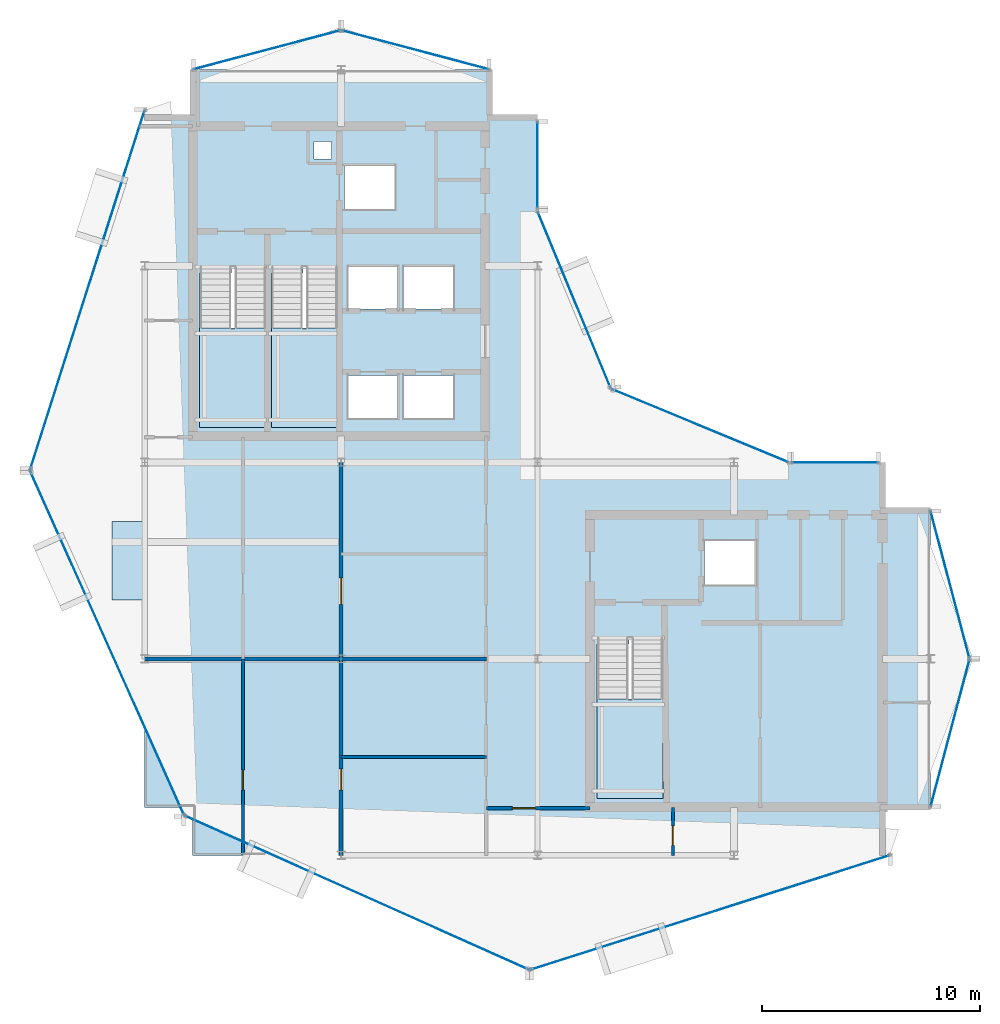
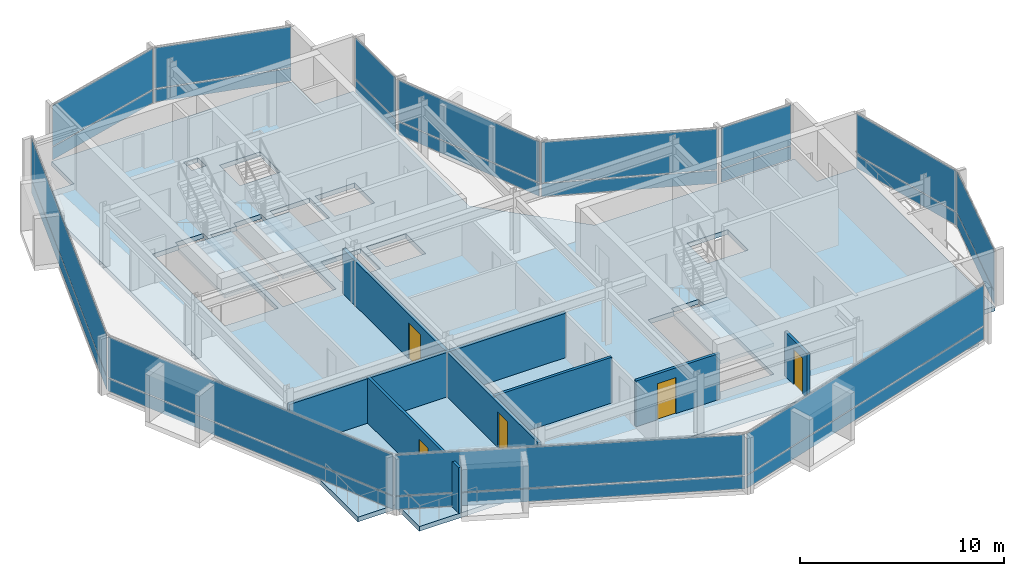
# One storey, part 13 of 19: 24 plates, 6 walls, 5 doors, 5 slabs, 5 openings, 15 elements without a shape of their own.
"""IFC4 building model written with IfcOpenShell, lengths in metres."""

from ifc_helpers import new_model, si_unit, direction, frame, frame_2d, origin, origin_2d, place, context, subcontext, project, spatial, polyline, rectangle, outline, extrude, material, layer, layer_set, type_object, element, fill, aggregate, save


model = new_model("IFC4")

# Units and contexts
model_context = context("Model", 3, precision=1e-05, world=origin(), true_north=direction((0.0, 1.0)))
body_context = subcontext(model_context, "Body", "Model", "MODEL_VIEW")
ifc_project = project(units=[si_unit("LENGTHUNIT", "METRE"), si_unit("AREAUNIT", "SQUARE_METRE"), si_unit("VOLUMEUNIT", "CUBIC_METRE"), si_unit("PLANEANGLEUNIT", "RADIAN"), si_unit("MASSUNIT", "GRAM", prefix="KILO")], contexts=[model_context])

# Site, building, storey
site_placement = place(None, origin())
site = spatial("IfcSite", under=ifc_project, at=site_placement, CompositionType="ELEMENT")
building_placement = place(site_placement, origin())
building = spatial("IfcBuilding", under=site, at=building_placement, Name="Solvaryn Broadcast Tower", CompositionType="ELEMENT")
storey_placement = place(building_placement, frame((0.0, 0.0, 293.699951171875)))
storey = spatial("IfcBuildingStorey", under=building, at=storey_placement, Name="L74", CompositionType="ELEMENT", Elevation=293.699951171875)

# Curtain wall, plates
ifc_material_1 = material(Name="Aluminium and Terracotta Unitised Curtain Wall", Category="masonry")
ifc_layer_1 = layer(ifc_material_1, 0.199951171875)
ifc_layer_set_1 = layer_set([ifc_layer_1], Name="CW-SYS2-LOWMID")
curtain_wall_type = type_object("IfcCurtainWallType", Name="CW-SYS2-LOWMID", PredefinedType="NOTDEFINED", material=ifc_layer_set_1)
curtain_wall_1_placement = place(storey_placement, origin())
curtain_wall_1 = element("IfcCurtainWall", 1, at=curtain_wall_1_placement, inside=storey, type_object=curtain_wall_type, Name="L74 Curtain Wall DR1", PredefinedType="NOTDEFINED")
ifc_material_2 = material(Name="Kiln-Fired Architectural Terracotta Spandrel", Category="masonry")
ifc_layer_2 = layer(ifc_material_2, 0.048095703125)
ifc_layer_set_2 = layer_set([ifc_layer_2], Name="CW-PNL-TERRACOTTA")
plate_type = type_object("IfcPlateType", Name="CW-PNL-TERRACOTTA", PredefinedType="CURTAIN_PANEL", material=ifc_layer_set_2)
plate_1_placement = place(storey_placement, frame((6.368896484375, 34.892578125, 0.06005859375), z_axis=(0.0, 0.0, 1.0), x_axis=(-0.30361564569, -0.952794594701, 0.0)))
plate_1 = element("IfcPlate", 2, at=plate_1_placement, type_object=plate_type, Name="CWS2 panel 1.1", PredefinedType="CURTAIN_PANEL", context=body_context, shape_type="SweptSolid", body=[
    extrude(rectangle(XDim=17.211181640625, YDim=0.028076171875, at=origin_2d()), origin(), (0.0, 0.0, 1.0), 0.760009765625),
])
plate_2_placement = place(storey_placement, frame((6.368896484375, 34.892578125, 0.8798828125), z_axis=(0.0, 0.0, 1.0), x_axis=(-0.30361564569, -0.952794594701, 0.0)))
plate_2 = element("IfcPlate", 3, at=plate_2_placement, type_object=plate_type, Name="CWS2 panel 1.2", PredefinedType="CURTAIN_PANEL", context=body_context, shape_type="SweptSolid", body=[
    extrude(rectangle(XDim=17.211181640625, YDim=0.028076171875, at=origin_2d()), origin(), (0.0, 0.0, 1.0), 2.429931640625),
])
aggregate(curtain_wall_1, [plate_1, plate_2])

curtain_wall_2_placement = place(storey_placement, origin())
curtain_wall_2 = element("IfcCurtainWall", 4, at=curtain_wall_2_placement, inside=storey, type_object=curtain_wall_type, Name="L74 Curtain Wall DR2", PredefinedType="NOTDEFINED")
plate_3_placement = place(storey_placement, frame((7.277587890625, 18.7265625, 0.06005859375), z_axis=(0.0, 0.0, 1.0), x_axis=(0.408466010682, -0.912773530574, 0.0)))
plate_3 = element("IfcPlate", 5, at=plate_3_placement, type_object=plate_type, Name="CWS2 panel 1.1", PredefinedType="CURTAIN_PANEL", context=body_context, shape_type="SweptSolid", body=[
    extrude(rectangle(XDim=17.210693359375, YDim=0.028076171875, at=origin_2d()), origin(), (0.0, 0.0, 1.0), 0.760009765625),
])
plate_4_placement = place(storey_placement, frame((7.277587890625, 18.7265625, 0.8798828125), z_axis=(0.0, 0.0, 1.0), x_axis=(0.408466010682, -0.912773530574, 0.0)))
plate_4 = element("IfcPlate", 6, at=plate_4_placement, type_object=plate_type, Name="CWS2 panel 1.2", PredefinedType="CURTAIN_PANEL", context=body_context, shape_type="SweptSolid", body=[
    extrude(rectangle(XDim=17.210693359375, YDim=0.028076171875, at=origin_2d()), origin(), (0.0, 0.0, 1.0), 2.429931640625),
])
aggregate(curtain_wall_2, [plate_3, plate_4])

curtain_wall_3_placement = place(storey_placement, origin())
curtain_wall_3 = element("IfcCurtainWall", 7, at=curtain_wall_3_placement, inside=storey, type_object=curtain_wall_type, Name="L74 Curtain Wall DR3", PredefinedType="NOTDEFINED")
plate_5_placement = place(storey_placement, frame((18.7265625, 7.277587890625, 0.06005859375), z_axis=(0.0, 0.0, 1.0), x_axis=(0.912773530574, -0.408466010682, 0.0)))
plate_5 = element("IfcPlate", 8, at=plate_5_placement, type_object=plate_type, Name="CWS2 panel 1.1", PredefinedType="CURTAIN_PANEL", context=body_context, shape_type="SweptSolid", body=[
    extrude(rectangle(XDim=17.210693359375, YDim=0.028076171875, at=origin_2d()), origin(), (0.0, 0.0, 1.0), 0.760009765625),
])
plate_6_placement = place(storey_placement, frame((18.7265625, 7.277587890625, 0.8798828125), z_axis=(0.0, 0.0, 1.0), x_axis=(0.912773530574, -0.408466010682, 0.0)))
plate_6 = element("IfcPlate", 9, at=plate_6_placement, type_object=plate_type, Name="CWS2 panel 1.2", PredefinedType="CURTAIN_PANEL", context=body_context, shape_type="SweptSolid", body=[
    extrude(rectangle(XDim=17.210693359375, YDim=0.028076171875, at=origin_2d()), origin(), (0.0, 0.0, 1.0), 2.429931640625),
])
aggregate(curtain_wall_3, [plate_5, plate_6])

curtain_wall_4_placement = place(storey_placement, origin())
curtain_wall_4 = element("IfcCurtainWall", 10, at=curtain_wall_4_placement, inside=storey, type_object=curtain_wall_type, Name="L74 Curtain Wall DR4", PredefinedType="NOTDEFINED")
plate_7_placement = place(storey_placement, frame((34.892578125, 6.368896484375, 0.06005859375), z_axis=(0.0, 0.0, 1.0), x_axis=(0.952794594701, 0.30361564569, 0.0)))
plate_7 = element("IfcPlate", 11, at=plate_7_placement, type_object=plate_type, Name="CWS2 panel 1.1", PredefinedType="CURTAIN_PANEL", context=body_context, shape_type="SweptSolid", body=[
    extrude(rectangle(XDim=17.211181640625, YDim=0.028076171875, at=origin_2d()), origin(), (0.0, 0.0, 1.0), 0.760009765625),
])
plate_8_placement = place(storey_placement, frame((34.892578125, 6.368896484375, 0.8798828125), z_axis=(0.0, 0.0, 1.0), x_axis=(0.952794594701, 0.30361564569, 0.0)))
plate_8 = element("IfcPlate", 12, at=plate_8_placement, type_object=plate_type, Name="CWS2 panel 1.2", PredefinedType="CURTAIN_PANEL", context=body_context, shape_type="SweptSolid", body=[
    extrude(rectangle(XDim=17.211181640625, YDim=0.028076171875, at=origin_2d()), origin(), (0.0, 0.0, 1.0), 2.429931640625),
])
aggregate(curtain_wall_4, [plate_7, plate_8])

curtain_wall_5_placement = place(storey_placement, origin())
curtain_wall_5 = element("IfcCurtainWall", 13, at=curtain_wall_5_placement, inside=storey, type_object=curtain_wall_type, Name="L74 Curtain Wall IV", PredefinedType="NOTDEFINED")
plate_9_placement = place(storey_placement, frame((27.0, 40.625, 0.06005859375), z_axis=(0.0, 0.0, 1.0), x_axis=(0.0, -1.0, 0.0)))
plate_9 = element("IfcPlate", 14, at=plate_9_placement, type_object=plate_type, Name="CWS2 panel 1.1", PredefinedType="CURTAIN_PANEL", context=body_context, shape_type="SweptSolid", body=[
    extrude(rectangle(XDim=3.929931640625, YDim=0.028076171875, at=origin_2d()), origin(), (0.0, 0.0, 1.0), 0.760009765625),
])
plate_10_placement = place(storey_placement, frame((27.0, 40.625, 0.8798828125), z_axis=(0.0, 0.0, 1.0), x_axis=(0.0, -1.0, 0.0)))
plate_10 = element("IfcPlate", 15, at=plate_10_placement, type_object=plate_type, Name="CWS2 panel 1.2", PredefinedType="CURTAIN_PANEL", context=body_context, shape_type="SweptSolid", body=[
    extrude(rectangle(XDim=3.929931640625, YDim=0.028076171875, at=origin_2d()), origin(), (0.0, 0.0, 1.0), 2.429931640625),
])
aggregate(curtain_wall_5, [plate_9, plate_10])

curtain_wall_6_placement = place(storey_placement, origin())
curtain_wall_6 = element("IfcCurtainWall", 16, at=curtain_wall_6_placement, inside=storey, type_object=curtain_wall_type, Name="L74 Curtain Wall CN1", PredefinedType="NOTDEFINED")
plate_11_placement = place(storey_placement, frame((34.43408203125, 28.68408203125, 0.06005859375), z_axis=(0.0, 0.0, 1.0), x_axis=(-0.923894983957, 0.382646127145, 0.0)))
plate_11 = element("IfcPlate", 17, at=plate_11_placement, type_object=plate_type, Name="CWS2 panel 1.1", PredefinedType="CURTAIN_PANEL", context=body_context, shape_type="SweptSolid", body=[
    extrude(rectangle(XDim=8.681884765625, YDim=0.028076171875, at=origin_2d()), origin(), (0.0, 0.0, 1.0), 0.760009765625),
])
plate_12_placement = place(storey_placement, frame((34.43408203125, 28.68408203125, 0.8798828125), z_axis=(0.0, 0.0, 1.0), x_axis=(-0.923894983957, 0.382646127145, 0.0)))
plate_12 = element("IfcPlate", 18, at=plate_12_placement, type_object=plate_type, Name="CWS2 panel 1.2", PredefinedType="CURTAIN_PANEL", context=body_context, shape_type="SweptSolid", body=[
    extrude(rectangle(XDim=8.681884765625, YDim=0.028076171875, at=origin_2d()), origin(), (0.0, 0.0, 1.0), 2.429931640625),
])
aggregate(curtain_wall_6, [plate_11, plate_12])

curtain_wall_7_placement = place(storey_placement, origin())
curtain_wall_7 = element("IfcCurtainWall", 19, at=curtain_wall_7_placement, inside=storey, type_object=curtain_wall_type, Name="L74 Curtain Wall CN2", PredefinedType="NOTDEFINED")
plate_13_placement = place(storey_placement, frame((28.68408203125, 34.43408203125, 0.06005859375), z_axis=(0.0, 0.0, 1.0), x_axis=(-0.382646127145, 0.923894983957, 0.0)))
plate_13 = element("IfcPlate", 20, at=plate_13_placement, type_object=plate_type, Name="CWS2 panel 1.1", PredefinedType="CURTAIN_PANEL", context=body_context, shape_type="SweptSolid", body=[
    extrude(rectangle(XDim=8.681884765625, YDim=0.028076171875, at=origin_2d()), origin(), (0.0, 0.0, 1.0), 0.760009765625),
])
plate_14_placement = place(storey_placement, frame((28.68408203125, 34.43408203125, 0.8798828125), z_axis=(0.0, 0.0, 1.0), x_axis=(-0.382646127145, 0.923894983957, 0.0)))
plate_14 = element("IfcPlate", 21, at=plate_14_placement, type_object=plate_type, Name="CWS2 panel 1.2", PredefinedType="CURTAIN_PANEL", context=body_context, shape_type="SweptSolid", body=[
    extrude(rectangle(XDim=8.681884765625, YDim=0.028076171875, at=origin_2d()), origin(), (0.0, 0.0, 1.0), 2.429931640625),
])
aggregate(curtain_wall_7, [plate_13, plate_14])

curtain_wall_8_placement = place(storey_placement, origin())
curtain_wall_8 = element("IfcCurtainWall", 22, at=curtain_wall_8_placement, inside=storey, type_object=curtain_wall_type, Name="L74 Curtain Wall NT1", PredefinedType="NOTDEFINED")
plate_15_placement = place(storey_placement, frame((21.39990234375, 45.89990234375, 0.06005859375), z_axis=(0.0, 0.0, 1.0), x_axis=(-0.966705227863, 0.25589256031, 0.0)))
plate_15 = element("IfcPlate", 23, at=plate_15_placement, type_object=plate_type, Name="CWS2 panel 1.1", PredefinedType="CURTAIN_PANEL", context=body_context, shape_type="SweptSolid", body=[
    extrude(rectangle(XDim=6.914306640625, YDim=0.028076171875, at=origin_2d()), origin(), (0.0, 0.0, 1.0), 0.760009765625),
])
plate_16_placement = place(storey_placement, frame((21.39990234375, 45.89990234375, 0.8798828125), z_axis=(0.0, 0.0, 1.0), x_axis=(-0.966705227863, 0.25589256031, 0.0)))
plate_16 = element("IfcPlate", 24, at=plate_16_placement, type_object=plate_type, Name="CWS2 panel 1.2", PredefinedType="CURTAIN_PANEL", context=body_context, shape_type="SweptSolid", body=[
    extrude(rectangle(XDim=6.914306640625, YDim=0.028076171875, at=origin_2d()), origin(), (0.0, 0.0, 1.0), 2.429931640625),
])
aggregate(curtain_wall_8, [plate_15, plate_16])

curtain_wall_9_placement = place(storey_placement, origin())
curtain_wall_9 = element("IfcCurtainWall", 25, at=curtain_wall_9_placement, inside=storey, type_object=curtain_wall_type, Name="L74 Curtain Wall NT2", PredefinedType="NOTDEFINED")
plate_17_placement = place(storey_placement, frame((14.60009765625, 45.89990234375, 0.06005859375), z_axis=(0.0, 0.0, 1.0), x_axis=(-0.966705227863, -0.25589256031, 0.0)))
plate_17 = element("IfcPlate", 26, at=plate_17_placement, type_object=plate_type, Name="CWS2 panel 1.1", PredefinedType="CURTAIN_PANEL", context=body_context, shape_type="SweptSolid", body=[
    extrude(rectangle(XDim=6.914306640625, YDim=0.028076171875, at=origin_2d()), origin(), (0.0, 0.0, 1.0), 0.760009765625),
])
plate_18_placement = place(storey_placement, frame((14.60009765625, 45.89990234375, 0.8798828125), z_axis=(0.0, 0.0, 1.0), x_axis=(-0.966705227863, -0.25589256031, 0.0)))
plate_18 = element("IfcPlate", 27, at=plate_18_placement, type_object=plate_type, Name="CWS2 panel 1.2", PredefinedType="CURTAIN_PANEL", context=body_context, shape_type="SweptSolid", body=[
    extrude(rectangle(XDim=6.914306640625, YDim=0.028076171875, at=origin_2d()), origin(), (0.0, 0.0, 1.0), 2.429931640625),
])
aggregate(curtain_wall_9, [plate_17, plate_18])

curtain_wall_10_placement = place(storey_placement, origin())
curtain_wall_10 = element("IfcCurtainWall", 28, at=curtain_wall_10_placement, inside=storey, type_object=curtain_wall_type, Name="L74 Curtain Wall ET1", PredefinedType="NOTDEFINED")
plate_19_placement = place(storey_placement, frame((45.89990234375, 21.39990234375, 0.06005859375), z_axis=(0.0, 0.0, 1.0), x_axis=(0.25589256031, -0.966705227863, 0.0)))
plate_19 = element("IfcPlate", 29, at=plate_19_placement, type_object=plate_type, Name="CWS2 panel 1.1", PredefinedType="CURTAIN_PANEL", context=body_context, shape_type="SweptSolid", body=[
    extrude(rectangle(XDim=6.914306640625, YDim=0.028076171875, at=origin_2d()), origin(), (0.0, 0.0, 1.0), 0.760009765625),
])
plate_20_placement = place(storey_placement, frame((45.89990234375, 21.39990234375, 0.8798828125), z_axis=(0.0, 0.0, 1.0), x_axis=(0.25589256031, -0.966705227863, 0.0)))
plate_20 = element("IfcPlate", 30, at=plate_20_placement, type_object=plate_type, Name="CWS2 panel 1.2", PredefinedType="CURTAIN_PANEL", context=body_context, shape_type="SweptSolid", body=[
    extrude(rectangle(XDim=6.914306640625, YDim=0.028076171875, at=origin_2d()), origin(), (0.0, 0.0, 1.0), 2.429931640625),
])
aggregate(curtain_wall_10, [plate_19, plate_20])

curtain_wall_11_placement = place(storey_placement, origin())
curtain_wall_11 = element("IfcCurtainWall", 31, at=curtain_wall_11_placement, inside=storey, type_object=curtain_wall_type, Name="L74 Curtain Wall ET2", PredefinedType="NOTDEFINED")
plate_21_placement = place(storey_placement, frame((45.89990234375, 14.60009765625, 0.06005859375), z_axis=(0.0, 0.0, 1.0), x_axis=(-0.25589256031, -0.966705227863, 0.0)))
plate_21 = element("IfcPlate", 32, at=plate_21_placement, type_object=plate_type, Name="CWS2 panel 1.1", PredefinedType="CURTAIN_PANEL", context=body_context, shape_type="SweptSolid", body=[
    extrude(rectangle(XDim=6.914306640625, YDim=0.028076171875, at=origin_2d()), origin(), (0.0, 0.0, 1.0), 0.760009765625),
])
plate_22_placement = place(storey_placement, frame((45.89990234375, 14.60009765625, 0.8798828125), z_axis=(0.0, 0.0, 1.0), x_axis=(-0.25589256031, -0.966705227863, 0.0)))
plate_22 = element("IfcPlate", 33, at=plate_22_placement, type_object=plate_type, Name="CWS2 panel 1.2", PredefinedType="CURTAIN_PANEL", context=body_context, shape_type="SweptSolid", body=[
    extrude(rectangle(XDim=6.914306640625, YDim=0.028076171875, at=origin_2d()), origin(), (0.0, 0.0, 1.0), 2.429931640625),
])
aggregate(curtain_wall_11, [plate_21, plate_22])

curtain_wall_12_placement = place(storey_placement, origin())
curtain_wall_12 = element("IfcCurtainWall", 34, at=curtain_wall_12_placement, inside=storey, type_object=curtain_wall_type, Name="L74 Curtain Wall IH", PredefinedType="NOTDEFINED")
plate_23_placement = place(storey_placement, frame((40.625, 27.0, 0.06005859375), z_axis=(0.0, 0.0, 1.0), x_axis=(1.0, 0.0, 0.0)))
plate_23 = element("IfcPlate", 35, at=plate_23_placement, type_object=plate_type, Name="CWS2 panel 1.1", PredefinedType="CURTAIN_PANEL", context=body_context, shape_type="SweptSolid", body=[
    extrude(rectangle(XDim=3.929931640625, YDim=0.028076171875, at=origin_2d()), origin(), (0.0, 0.0, 1.0), 0.760009765625),
])
plate_24_placement = place(storey_placement, frame((40.625, 27.0, 0.8798828125), z_axis=(0.0, 0.0, 1.0), x_axis=(1.0, 0.0, 0.0)))
plate_24 = element("IfcPlate", 36, at=plate_24_placement, type_object=plate_type, Name="CWS2 panel 1.2", PredefinedType="CURTAIN_PANEL", context=body_context, shape_type="SweptSolid", body=[
    extrude(rectangle(XDim=3.929931640625, YDim=0.028076171875, at=origin_2d()), origin(), (0.0, 0.0, 1.0), 2.429931640625),
])
aggregate(curtain_wall_12, [plate_23, plate_24])

# Slab
ifc_material_3 = material(Name="Concrete f'c 60 MPa", Category="concrete")
ifc_layer_3 = layer(ifc_material_3, 0.2099609375)
ifc_layer_set_3 = layer_set([ifc_layer_3], Name="SL-BAYBOX-210")
slab_type_1 = type_object("IfcSlabType", Name="SL-BAYBOX-210", PredefinedType="FLOOR", material=ifc_layer_set_3)
slab_1_placement = place(storey_placement, frame((0.0, 0.0, -0.2099609375)))
element("IfcSlab", 37, at=slab_1_placement, inside=storey, type_object=slab_type_1, Name="L74 Projecting Bay-Box Slab 1", PredefinedType="FLOOR", context=body_context, shape_type="SweptSolid", body=[
    extrude(outline(polyline([(7.5, 20.699951171875), (9.0, 20.699951171875), (9.0, 24.300048828125), (7.5, 24.300048828125), (7.5, 20.699951171875)])), origin(), (0.0, 0.0, 1.0), 0.2099609375),
])

# Stair, slab
ifc_material_4 = material(Name="Concrete f'c 60 MPa", Category="concrete")
stair_type = type_object("IfcStairType", Name="ST-CORE", PredefinedType="HALF_TURN_STAIR", material=ifc_material_4)
stair_1_placement = place(storey_placement, origin())
stair_1 = element("IfcStair", 38, at=stair_1_placement, inside=storey, type_object=stair_type, Name="L74 ST1", PredefinedType="HALF_TURN_STAIR")
ifc_material_5 = material(Name="Concrete f'c 60 MPa", Category="concrete")
ifc_layer_4 = layer(ifc_material_5, 0.199951171875)
ifc_layer_set_4 = layer_set([ifc_layer_4], Name="SL-LANDING-200")
slab_type_2 = type_object("IfcSlabType", Name="SL-LANDING-200", PredefinedType="LANDING", material=ifc_layer_set_4)
slab_2_placement = place(storey_placement, frame((0.0, 0.0, 1.650146484375)))
slab_2 = element("IfcSlab", 39, at=slab_2_placement, type_object=slab_type_2, Name="ST1 landing 1", PredefinedType="LANDING", context=body_context, shape_type="SweptSolid", body=[
    extrude(outline(polyline([(11.52001953125, 33.159912109375), (11.52001953125, 28.60009765625), (14.550048828125, 28.60009765625), (14.550048828125, 33.159912109375), (11.52001953125, 33.159912109375)])), origin(), (0.0, 0.0, 1.0), 0.199951171875),
])
aggregate(stair_1, [slab_2])

stair_2_placement = place(storey_placement, origin())
stair_2 = element("IfcStair", 40, at=stair_2_placement, inside=storey, type_object=stair_type, Name="L74 ST2", PredefinedType="HALF_TURN_STAIR")
slab_3_placement = place(storey_placement, frame((0.0, 0.0, 1.650146484375)))
slab_3 = element("IfcSlab", 41, at=slab_3_placement, type_object=slab_type_2, Name="ST2 landing 1", PredefinedType="LANDING", context=body_context, shape_type="SweptSolid", body=[
    extrude(outline(polyline([(14.800048828125, 33.159912109375), (14.800048828125, 28.60009765625), (17.830078125, 28.60009765625), (17.830078125, 33.159912109375), (14.800048828125, 33.159912109375)])), origin(), (0.0, 0.0, 1.0), 0.199951171875),
])
aggregate(stair_2, [slab_3])

stair_3_placement = place(storey_placement, origin())
stair_3 = element("IfcStair", 42, at=stair_3_placement, inside=storey, type_object=stair_type, Name="L74 ST3", PredefinedType="HALF_TURN_STAIR")
slab_4_placement = place(storey_placement, frame((0.0, 0.0, 1.650146484375)))
slab_4 = element("IfcSlab", 43, at=slab_4_placement, type_object=slab_type_2, Name="ST3 landing 1", PredefinedType="LANDING", context=body_context, shape_type="SweptSolid", body=[
    extrude(outline(polyline([(29.719970703125, 16.159912109375), (29.719970703125, 11.60009765625), (32.75, 11.60009765625), (32.75, 16.159912109375), (29.719970703125, 16.159912109375)])), origin(), (0.0, 0.0, 1.0), 0.199951171875),
])
aggregate(stair_3, [slab_4])

# Slab
ifc_material_6 = material(Name="Concrete f'c 60 MPa", Category="concrete")
ifc_layer_5 = layer(ifc_material_6, 0.280029296875)
ifc_layer_set_5 = layer_set([ifc_layer_5], Name="SL-TWR-280")
slab_type_3 = type_object("IfcSlabType", Name="SL-TWR-280", PredefinedType="FLOOR", material=ifc_layer_set_5)
slab_5_placement = place(storey_placement, frame((0.0, 0.0, -0.280029296875)))
element("IfcSlab", 44, at=slab_5_placement, inside=storey, type_object=slab_type_3, Name="L74 Structural Floor Slab", PredefinedType="FLOOR", context=body_context, shape_type="SweptSolid", body=[
    extrude(outline(polyline([(11.199951171875, 9.0), (42.800048828125, 9.0), (42.800048828125, 11.199951171875), (45.0, 11.199951171875), (45.0, 24.800048828125), (42.800048828125, 24.800048828125), (42.800048828125, 27.0), (31.5, 27.0), (27.0, 31.5), (27.0, 42.800048828125), (24.800048828125, 42.800048828125), (24.800048828125, 45.0), (11.199951171875, 45.0), (11.199951171875, 42.800048828125), (9.0, 42.800048828125), (9.0, 11.199951171875), (11.199951171875, 11.199951171875), (11.199951171875, 9.0)]), holes=[polyline([(11.52001953125, 28.60009765625), (14.550048828125, 28.60009765625), (14.550048828125, 35.9599609375), (12.97998046875, 35.9599609375), (12.97998046875, 35.679931640625), (11.52001953125, 35.679931640625), (11.52001953125, 28.60009765625)]), polyline([(14.800048828125, 28.60009765625), (17.830078125, 28.60009765625), (17.830078125, 35.9599609375), (16.260009765625, 35.9599609375), (16.260009765625, 35.679931640625), (14.800048828125, 35.679931640625), (14.800048828125, 28.60009765625)]), polyline([(29.719970703125, 11.60009765625), (32.75, 11.60009765625), (32.75, 18.9599609375), (31.179931640625, 18.9599609375), (31.179931640625, 18.679931640625), (29.719970703125, 18.679931640625), (29.719970703125, 11.60009765625)]), polyline([(18.14990234375, 38.60009765625), (20.449951171875, 38.60009765625), (20.449951171875, 40.60009765625), (18.14990234375, 40.60009765625), (18.14990234375, 38.60009765625)]), polyline([(18.324951171875, 29.02490234375), (20.574951171875, 29.02490234375), (20.574951171875, 30.97509765625), (18.324951171875, 30.97509765625), (18.324951171875, 29.02490234375)]), polyline([(20.875, 29.02490234375), (23.125, 29.02490234375), (23.125, 30.97509765625), (20.875, 30.97509765625), (20.875, 29.02490234375)]), polyline([(18.324951171875, 34.02490234375), (20.574951171875, 34.02490234375), (20.574951171875, 35.97509765625), (18.324951171875, 35.97509765625), (18.324951171875, 34.02490234375)]), polyline([(20.875, 34.02490234375), (23.125, 34.02490234375), (23.125, 35.97509765625), (20.875, 35.97509765625), (20.875, 34.02490234375)]), polyline([(34.64990234375, 21.39990234375), (36.949951171875, 21.39990234375), (36.949951171875, 23.39990234375), (34.64990234375, 23.39990234375), (34.64990234375, 21.39990234375)]), polyline([(16.75, 40.89990234375), (17.550048828125, 40.89990234375), (17.550048828125, 41.699951171875), (16.75, 41.699951171875), (16.75, 40.89990234375)])]), origin(), (0.0, 0.0, 1.0), 0.280029296875),
])

# Wall, opening, door
ifc_material_7 = material(Name="Metal-Stud Service Core Partition")
ifc_layer_6 = layer(ifc_material_7, 0.14990234375)
ifc_layer_set_6 = layer_set([ifc_layer_6], Name="IW-PART-150")
wall_type_1 = type_object("IfcWallType", Name="IW-PART-150", PredefinedType="PARTITIONING", material=ifc_layer_set_6)
wall_1_placement = place(storey_placement, frame((13.5, 9.0, 0.0), z_axis=(0.0, 0.0, 1.0), x_axis=(0.0, 1.0, 0.0)))
wall_1 = element("IfcWall", 45, at=wall_1_placement, inside=storey, type_object=wall_type_1, Name="L74 Interior Partition IW-L74-SW-C2", PredefinedType="PARTITIONING", context=body_context, shape_type="SweptSolid", body=[
    extrude(rectangle(XDim=9.0, YDim=0.14990234375, at=frame_2d((4.5, 0.0))), origin(), (0.0, 0.0, 1.0), 2.739013671875),
])
opening_1_placement = place(wall_1_placement, frame((3.0, 0.0, 0.0)))
opening_1 = element("IfcOpeningElement", 46, at=opening_1_placement, cuts=wall_1, Name="Opening FD60C", PredefinedType="OPENING", context=body_context, shape_type="SweptSolid", body=[
    extrude(rectangle(XDim=0.89990234375, YDim=2.10009765625, at=frame_2d((0.449951171875, 1.050048828125))), frame((0.0, 0.0849609375, 0.0), z_axis=(0.0, -1.0, 0.0), x_axis=(1.0, 0.0, 0.0)), (0.0, 0.0, 1.0), 0.169921875),
])
ifc_material_8 = material(Name="Flush Acoustic Steel and Timber Door Assembly", Category="steel")
door_type_1 = type_object("IfcDoorType", Name="FD60-SERV-900X2100", OperationType="NOTDEFINED", PredefinedType="DOOR", material=ifc_material_8)
door_1_placement = place(opening_1_placement, origin())
door_1 = element("IfcDoor", 47, at=door_1_placement, inside=storey, type_object=door_type_1, Name="L74 Door DR-L74-SWQ-8", OperationType="SINGLE_SWING_LEFT", OverallHeight=2.10009765625, OverallWidth=0.89990234375, PredefinedType="DOOR", context=body_context, shape_type="SweptSolid", body=[
    extrude(rectangle(XDim=0.89990234375, YDim=2.10009765625, at=frame_2d((0.449951171875, 1.050048828125))), frame((0.0, 0.02490234375, 0.0), z_axis=(0.0, -1.0, 0.0), x_axis=(1.0, 0.0, 0.0)), (0.0, 0.0, 1.0), 0.050048828125),
])
fill(opening_1, door_1)

# Wall
wall_2_placement = place(storey_placement, frame((18.0, 13.5, 0.0), z_axis=(0.0, 0.0, 1.0), x_axis=(1.0, 0.0, 0.0)))
element("IfcWall", 48, at=wall_2_placement, inside=storey, type_object=wall_type_1, Name="L74 Interior Partition IW-L74-SW-C4", PredefinedType="PARTITIONING", context=body_context, shape_type="SweptSolid", body=[
    extrude(rectangle(XDim=6.64990234375, YDim=0.14990234375, at=frame_2d((3.324951171875, 0.0))), origin(), (0.0, 0.0, 1.0), 2.741943359375),
])

# Wall, opening, door
wall_3_placement = place(storey_placement, frame((33.199951171875, 9.0, 0.0), z_axis=(0.0, 0.0, 1.0), x_axis=(0.0, 1.0, 0.0)))
wall_3 = element("IfcWall", 49, at=wall_3_placement, inside=storey, type_object=wall_type_1, Name="L74 Interior Partition IW-L74-SC-V", PredefinedType="PARTITIONING", context=body_context, shape_type="SweptSolid", body=[
    extrude(rectangle(XDim=2.199951171875, YDim=0.14990234375, at=frame_2d((1.10009765625, 0.0))), origin(), (0.0, 0.0, 1.0), 2.656982421875),
])
opening_2_placement = place(wall_3_placement, frame((0.449951171875, 0.0, 0.0)))
opening_2 = element("IfcOpeningElement", 50, at=opening_2_placement, cuts=wall_3, Name="Opening FD60C", PredefinedType="OPENING", context=body_context, shape_type="SweptSolid", body=[
    extrude(rectangle(XDim=0.89990234375, YDim=2.10009765625, at=frame_2d((0.449951171875, 1.050048828125))), frame((0.0, 0.0849609375, 0.0), z_axis=(0.0, -1.0, 0.0), x_axis=(1.0, 0.0, 0.0)), (0.0, 0.0, 1.0), 0.169921875),
])
door_2_placement = place(opening_2_placement, origin())
door_2 = element("IfcDoor", 51, at=door_2_placement, inside=storey, type_object=door_type_1, Name="L74 Door DR-L74-SC1", OperationType="SINGLE_SWING_LEFT", OverallHeight=2.10009765625, OverallWidth=0.89990234375, PredefinedType="DOOR", context=body_context, shape_type="SweptSolid", body=[
    extrude(rectangle(XDim=0.89990234375, YDim=2.10009765625, at=frame_2d((0.449951171875, 1.050048828125))), frame((0.0, 0.02490234375, 0.0), z_axis=(0.0, -1.0, 0.0), x_axis=(1.0, 0.0, 0.0)), (0.0, 0.0, 1.0), 0.050048828125),
])
fill(opening_2, door_2)

ifc_material_9 = material(Name="Metal-Stud Gypsum Office Partition")
ifc_layer_7 = layer(ifc_material_9, 0.159912109375)
ifc_layer_set_7 = layer_set([ifc_layer_7], Name="IW-PART-160")
wall_type_2 = type_object("IfcWallType", Name="IW-PART-160", PredefinedType="PARTITIONING", material=ifc_layer_set_7)
wall_4_placement = place(storey_placement, frame((24.64990234375, 11.14990234375, 0.0), z_axis=(0.0, 0.0, 1.0), x_axis=(1.0, 0.0, 0.0)))
wall_4 = element("IfcWall", 52, at=wall_4_placement, inside=storey, type_object=wall_type_2, Name="L74 Interior Partition IW-L74-SC-N", PredefinedType="PARTITIONING", context=body_context, shape_type="SweptSolid", body=[
    extrude(rectangle(XDim=4.75, YDim=0.159912109375, at=frame_2d((2.375, 0.0))), origin(), (0.0, 0.0, 1.0), 2.741943359375),
])
opening_3_placement = place(wall_4_placement, frame((1.199951171875, 0.0, 0.0)))
opening_3 = element("IfcOpeningElement", 53, at=opening_3_placement, cuts=wall_4, Name="Opening ID03", PredefinedType="OPENING", context=body_context, shape_type="SweptSolid", body=[
    extrude(rectangle(XDim=1.050048828125, YDim=2.14990234375, at=frame_2d((0.52490234375, 1.074951171875))), frame((0.0, 0.090087890625, 0.0), z_axis=(0.0, -1.0, 0.0), x_axis=(1.0, 0.0, 0.0)), (0.0, 0.0, 1.0), 0.179931640625),
])
ifc_material_10 = material(Name="Flush Acoustic Steel and Timber Door Assembly", Category="steel")
door_type_2 = type_object("IfcDoorType", Name="ID-03-1050X2150", OperationType="NOTDEFINED", PredefinedType="DOOR", material=ifc_material_10)
door_3_placement = place(opening_3_placement, origin())
door_3 = element("IfcDoor", 54, at=door_3_placement, inside=storey, type_object=door_type_2, Name="L74 Door DR-L74-SC0", OperationType="SINGLE_SWING_RIGHT", OverallHeight=2.14990234375, OverallWidth=1.050048828125, PredefinedType="DOOR", context=body_context, shape_type="SweptSolid", body=[
    extrude(rectangle(XDim=1.050048828125, YDim=2.14990234375, at=frame_2d((0.52490234375, 1.074951171875))), frame((0.0, 0.02490234375, 0.0), z_axis=(0.0, -1.0, 0.0), x_axis=(1.0, 0.0, 0.0)), (0.0, 0.0, 1.0), 0.050048828125),
])
fill(opening_3, door_3)

# Wall
ifc_material_11 = material(Name="Acoustic Metal-Stud Gypsum Partition")
ifc_layer_8 = layer(ifc_material_11, 0.179931640625)
ifc_layer_set_8 = layer_set([ifc_layer_8], Name="IW-PART-180")
wall_type_3 = type_object("IfcWallType", Name="IW-PART-180", PredefinedType="PARTITIONING", material=ifc_layer_set_8)
wall_5_placement = place(storey_placement, frame((9.0, 18.0, 0.0), z_axis=(0.0, 0.0, 1.0), x_axis=(1.0, 0.0, 0.0)))
element("IfcWall", 55, at=wall_5_placement, inside=storey, type_object=wall_type_3, Name="L74 Interior Partition IW-L74-SW-CH", PredefinedType="PARTITIONING", context=body_context, shape_type="SweptSolid", body=[
    extrude(rectangle(XDim=15.64990234375, YDim=0.179931640625, at=frame_2d((7.824951171875, 0.0))), origin(), (0.0, 0.0, 1.0), 2.656982421875),
])

# Wall, openings, doors
wall_6_placement = place(storey_placement, frame((18.0, 9.0, 0.0), z_axis=(0.0, 0.0, 1.0), x_axis=(0.0, 1.0, 0.0)))
wall_6 = element("IfcWall", 56, at=wall_6_placement, inside=storey, type_object=wall_type_3, Name="L74 Interior Partition IW-L74-SW-CV", PredefinedType="PARTITIONING", context=body_context, shape_type="SweptSolid", body=[
    extrude(rectangle(XDim=19.1298828125, YDim=0.179931640625, at=frame_2d((9.56494140625, 0.0))), origin(), (0.0, 0.0, 1.0), 2.656982421875),
])
opening_4_placement = place(wall_6_placement, frame((11.5, 0.0, 0.0)))
opening_4 = element("IfcOpeningElement", 57, at=opening_4_placement, cuts=wall_6, Name="Opening ID04", PredefinedType="OPENING", context=body_context, shape_type="SweptSolid", body=[
    extrude(rectangle(XDim=1.199951171875, YDim=2.14990234375, at=frame_2d((0.60009765625, 1.074951171875))), frame((0.0, 0.099853515625, 0.0), z_axis=(0.0, -1.0, 0.0), x_axis=(1.0, 0.0, 0.0)), (0.0, 0.0, 1.0), 0.199951171875),
])
opening_5_placement = place(wall_6_placement, frame((3.0, 0.0, 0.0)))
opening_5 = element("IfcOpeningElement", 58, at=opening_5_placement, cuts=wall_6, Name="Opening ID01", PredefinedType="OPENING", context=body_context, shape_type="SweptSolid", body=[
    extrude(rectangle(XDim=0.949951171875, YDim=2.10009765625, at=frame_2d((0.47509765625, 1.050048828125))), frame((0.0, 0.099853515625, 0.0), z_axis=(0.0, -1.0, 0.0), x_axis=(1.0, 0.0, 0.0)), (0.0, 0.0, 1.0), 0.199951171875),
])
ifc_material_12 = material(Name="Flush Acoustic Steel and Timber Door Assembly", Category="steel")
door_type_3 = type_object("IfcDoorType", Name="ID-01-950X2100", OperationType="NOTDEFINED", PredefinedType="DOOR", material=ifc_material_12)
door_4_placement = place(opening_5_placement, origin())
door_4 = element("IfcDoor", 59, at=door_4_placement, inside=storey, type_object=door_type_3, Name="L74 Door DR-L74-SWQ-7", OperationType="SINGLE_SWING_RIGHT", OverallHeight=2.10009765625, OverallWidth=0.949951171875, PredefinedType="DOOR", context=body_context, shape_type="SweptSolid", body=[
    extrude(rectangle(XDim=0.949951171875, YDim=2.10009765625, at=frame_2d((0.47509765625, 1.050048828125))), frame((0.0, 0.02490234375, 0.0), z_axis=(0.0, -1.0, 0.0), x_axis=(1.0, 0.0, 0.0)), (0.0, 0.0, 1.0), 0.050048828125),
])
fill(opening_5, door_4)
ifc_material_13 = material(Name="Flush Acoustic Steel and Timber Door Assembly", Category="steel")
door_type_4 = type_object("IfcDoorType", Name="ID-04-1200X2150", OperationType="NOTDEFINED", PredefinedType="DOOR", material=ifc_material_13)
door_5_placement = place(opening_4_placement, origin())
door_5 = element("IfcDoor", 60, at=door_5_placement, inside=storey, type_object=door_type_4, Name="L74 Door DR-L74-SWQ-5", OperationType="SINGLE_SWING_RIGHT", OverallHeight=2.14990234375, OverallWidth=1.199951171875, PredefinedType="DOOR", context=body_context, shape_type="SweptSolid", body=[
    extrude(rectangle(XDim=1.199951171875, YDim=2.14990234375, at=frame_2d((0.60009765625, 1.074951171875))), frame((0.0, 0.02490234375, 0.0), z_axis=(0.0, -1.0, 0.0), x_axis=(1.0, 0.0, 0.0)), (0.0, 0.0, 1.0), 0.050048828125),
])
fill(opening_4, door_5)

save(model, "model.ifc")
